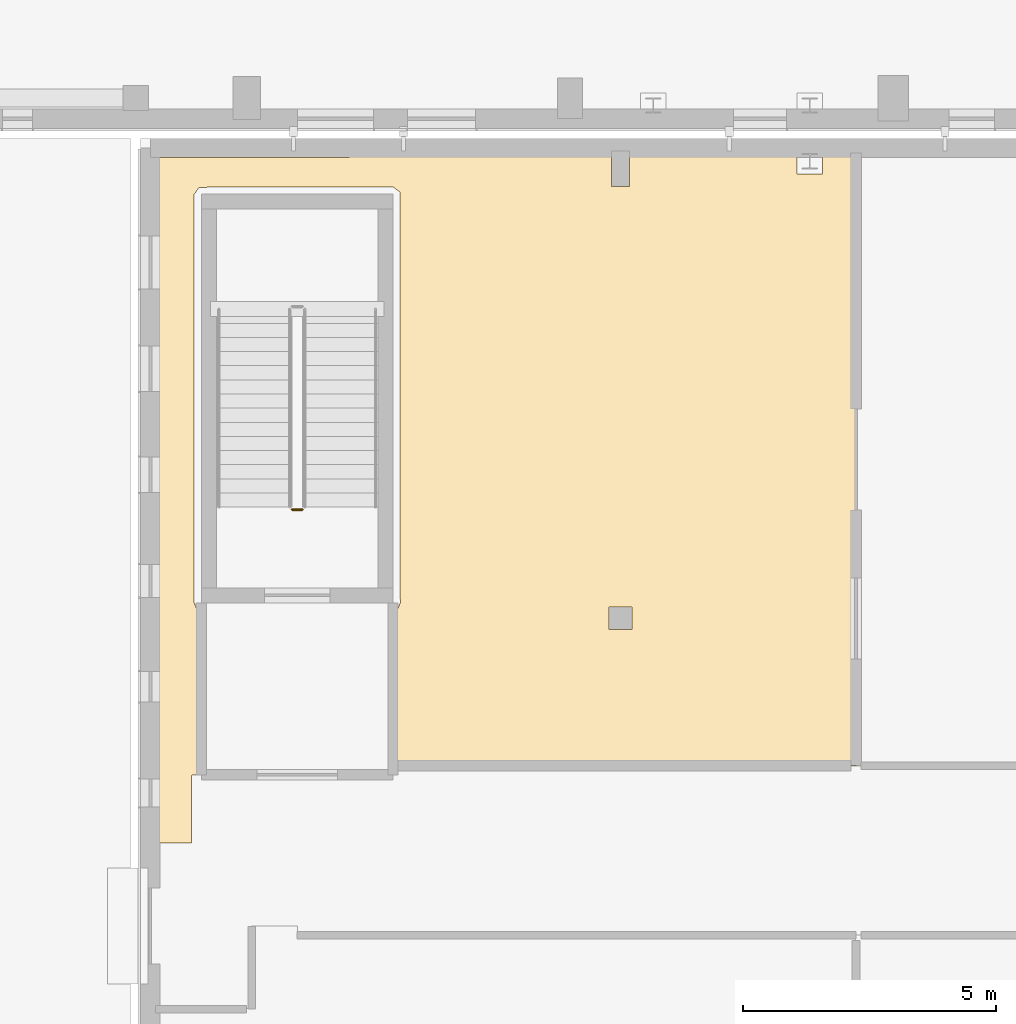
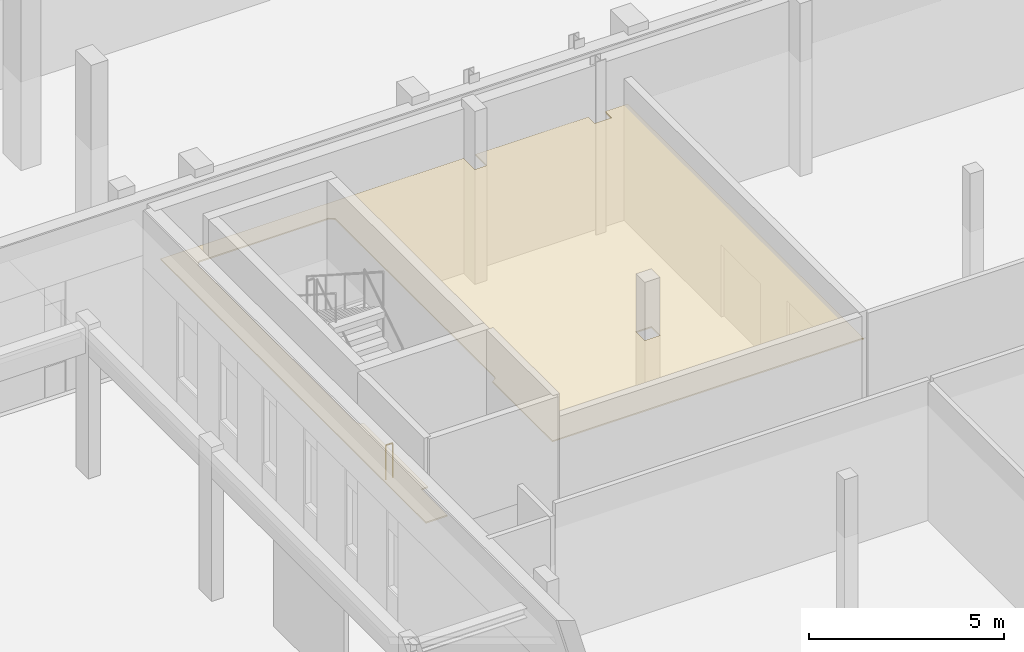
# One storey, part 63 of 84: 1 covering, 1 railing.
"""IFC4 building model written with IfcOpenShell, lengths in metres."""

from ifc_helpers import new_model, si_unit, direction, frame, origin, origin_2d, place, context, subcontext, project, spatial, polyline, circle, outline, extrude, material, layer, layer_set, type_object, element, save


model = new_model("IFC4")

# Units and contexts
model_context = context("Model", 3, precision=1e-05, world=origin(), true_north=direction((0.0, 1.0)))
body_context = subcontext(model_context, "Body", "Model", "MODEL_VIEW")
ifc_project = project(units=[si_unit("LENGTHUNIT", "METRE"), si_unit("AREAUNIT", "SQUARE_METRE"), si_unit("VOLUMEUNIT", "CUBIC_METRE"), si_unit("PLANEANGLEUNIT", "RADIAN"), si_unit("MASSUNIT", "GRAM", prefix="KILO")], contexts=[model_context])

# Site, building, storey
site_placement = place(None, origin())
site = spatial("IfcSite", under=ifc_project, at=site_placement, CompositionType="ELEMENT")
building_placement = place(site_placement, origin())
building = spatial("IfcBuilding", under=site, at=building_placement, Name="Mzevani Central Library", CompositionType="ELEMENT")
storey_placement = place(building_placement, origin())
storey = spatial("IfcBuildingStorey", under=building, at=storey_placement, Name="L00", CompositionType="ELEMENT", Elevation=0.0)

# Railing
ifc_material_1 = material(Name="Brushed stainless steel rail", Category="steel")
railing_type = type_object("IfcRailingType", Name="Interior Gallery and Stair Guard 1100", PredefinedType="BALUSTRADE", material=ifc_material_1)
railing_placement = place(storey_placement, frame((115.300048828125, 34.949951171875, 0.0)))
element("IfcRailing", 1, at=railing_placement, inside=storey, type_object=railing_type, Name="L00 ST-11 stair guard 4", PredefinedType="BALUSTRADE", context=body_context, shape_type="SweptSolid", body=[
    extrude(circle(Radius=0.02392578125, at=origin_2d()), frame((0.0, 0.0, 1.076171875), z_axis=(-1.0, 0.0, 0.0), x_axis=(0.0, -1.0, 0.0)), (0.0, 0.0, 1.0), 0.199951171875),
    extrude(circle(Radius=0.02099609375, at=origin_2d()), origin(), (0.0, 0.0, 1.0), 1.052001953125),
    extrude(circle(Radius=0.02099609375, at=origin_2d()), frame((-0.199951171875, 0.0, 0.0)), (0.0, 0.0, 1.0), 1.052001953125),
])

# Covering
ifc_material_2 = material(Name="Mineral wool acoustic ceiling")
ifc_layer = layer(ifc_material_2, 0.0400390625, Name="Perforated Timber Acoustic Ceiling")
ifc_layer_set = layer_set([ifc_layer], Name="Mineral wool acoustic ceiling")
covering_type = type_object("IfcCoveringType", Name="Perforated Timber Acoustic Ceiling", PredefinedType="CEILING", material=ifc_layer_set)
covering_placement = place(storey_placement, frame((0.0, 0.0, 3.550048828125)))
element("IfcCovering", 2, at=covering_placement, inside=storey, type_object=covering_type, Name="L00 Storytelling Amphitheatre Acoustic Ceiling", PredefinedType="CEILING", context=body_context, shape_type="SweptSolid", body=[
    extrude(outline(polyline([(117.090087890625, 29.87890625), (117.090087890625, 32.949951171875), (117.198486328125, 33.001708984375), (117.239990234375, 33.10205078125), (117.2333984375, 41.238525390625), (117.0966796875, 41.340087890625), (113.261474609375, 41.33349609375), (113.159912109375, 41.19677734375), (113.159912109375, 33.10205078125), (113.20166015625, 33.001708984375), (113.31005859375, 32.949951171875), (113.31005859375, 29.698974609375), (113.110107421875, 29.68994140625), (113.1083984375, 28.3515625), (112.470703125, 28.353271484375), (112.472412109375, 41.92626953125), (121.425048828125, 41.929931640625), (121.425048828125, 41.35009765625), (121.77490234375, 41.35009765625), (121.77490234375, 41.929931640625), (125.10009765625, 41.929931640625), (125.10009765625, 41.60009765625), (125.60009765625, 41.60009765625), (125.60009765625, 41.929931640625), (126.271240234375, 41.927734375), (126.272705078125, 29.873779296875), (117.090087890625, 29.87890625)]), holes=[polyline([(121.375, 32.574951171875), (121.824951171875, 32.574951171875), (121.824951171875, 33.02490234375), (121.375, 33.02490234375), (121.375, 32.574951171875)])]), origin(), (0.0, 0.0, 1.0), 0.0400390625),
])

save(model, "model.ifc")
